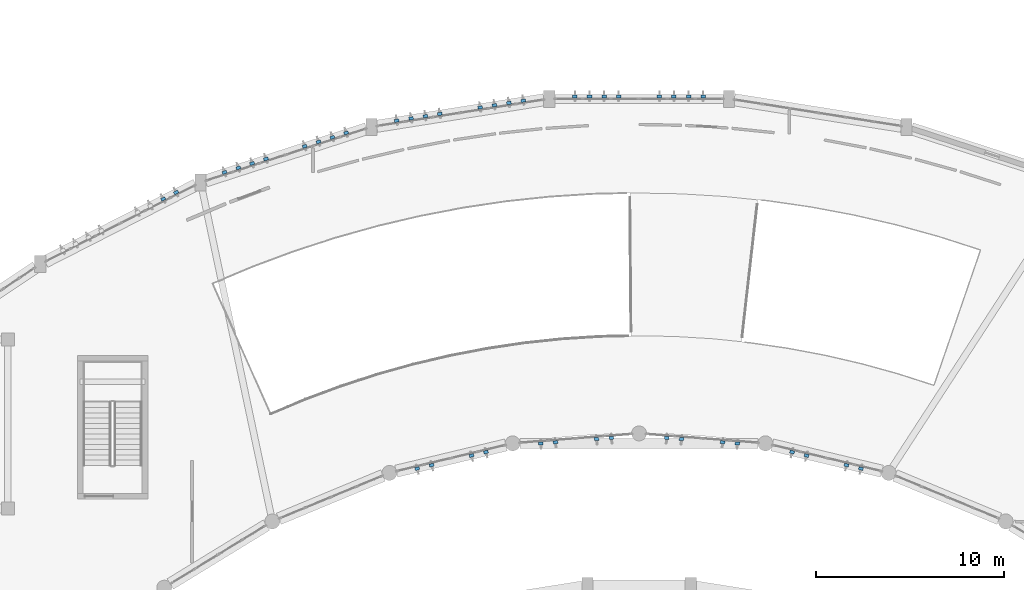
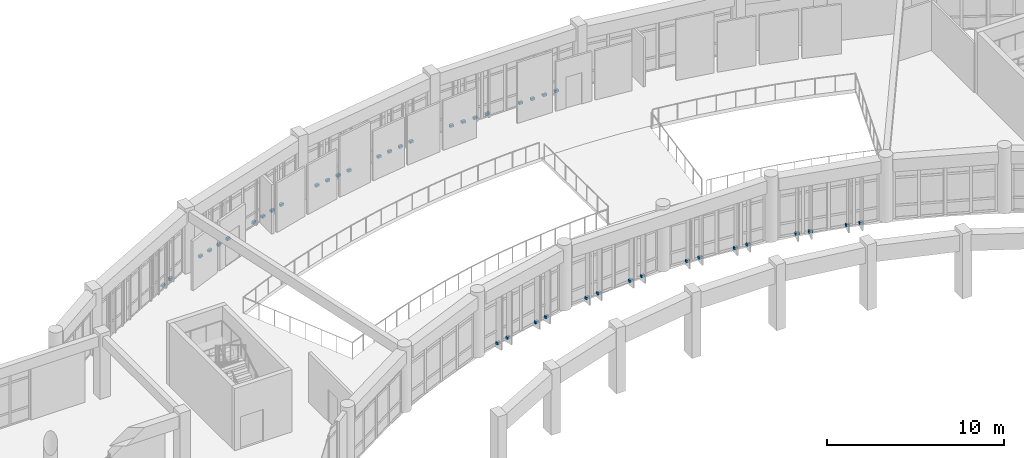
# One storey, part 52 of 57: 42 discrete accessories.
"""IFC4 building model written with IfcOpenShell, lengths in metres."""

from ifc_helpers import new_model, si_unit, direction, frame, origin, origin_2d, place, context, subcontext, project, spatial, rectangle, extrude, material, type_object, element, save


model = new_model("IFC4")

# Units and contexts
model_context = context("Model", 3, precision=1e-05, world=origin(), true_north=direction((0.0, 1.0)))
body_context = subcontext(model_context, "Body", "Model", "MODEL_VIEW")
ifc_project = project(units=[si_unit("LENGTHUNIT", "METRE"), si_unit("AREAUNIT", "SQUARE_METRE"), si_unit("VOLUMEUNIT", "CUBIC_METRE"), si_unit("PLANEANGLEUNIT", "RADIAN"), si_unit("MASSUNIT", "GRAM", prefix="KILO")], contexts=[model_context])

# Site, building, storey
site_placement = place(None, origin())
site = spatial("IfcSite", under=ifc_project, at=site_placement, CompositionType="ELEMENT")
building_placement = place(site_placement, origin())
building = spatial("IfcBuilding", under=site, at=building_placement, Name="Miralva Faculty of Natural Sciences", CompositionType="ELEMENT")
storey_placement = place(building_placement, frame((0.0, 0.0, 15.0)))
storey = spatial("IfcBuildingStorey", under=building, at=storey_placement, Name="L03", CompositionType="ELEMENT", Elevation=15.0)

# Discrete accessories
ifc_material = material(Name="Steel S355", Category="steel")
discrete_accessory_type = type_object("IfcDiscreteAccessoryType", Name="ACC-BRK01", PredefinedType="BRACKET", material=ifc_material)
for number, where, z_axis, x_axis, name in (
    (1, (78.188720703125, 20.12646484375, 0.0400390625), (0.0, 0.0, 1.0), (0.233445363856, -0.972369920398, 0.0), "Solar fin bracket L03-69"),
    (2, (78.956298828125, 20.310791015625, 0.0400390625), (0.0, 0.0, 1.0), (0.233445363856, -0.972369920398, 0.0), "Solar fin bracket L03-70"),
    (3, (81.08154296875, 20.821044921875, 0.0400390625), (0.0, 0.0, 1.0), (0.233445363856, -0.972369920398, 0.0), "Solar fin bracket L03-71"),
    (4, (81.8515625, 21.005859375, 0.0400390625), (0.0, 0.0, 1.0), (0.233445363856, -0.972369920398, 0.0), "Solar fin bracket L03-72"),
    (5, (84.76025390625, 21.46728515625, 0.0400390625), (0.0, 0.0, 1.0), (0.078459095728, -0.996917333733, 0.0), "Solar fin bracket L03-73"),
    (6, (85.55224609375, 21.529541015625, 0.0400390625), (0.0, 0.0, 1.0), (0.078459095728, -0.996917333733, 0.0), "Solar fin bracket L03-74"),
    (7, (87.736083984375, 21.701416015625, 0.0400390625), (0.0, 0.0, 1.0), (0.078459095728, -0.996917333733, 0.0), "Solar fin bracket L03-75"),
    (8, (88.530517578125, 21.763916015625, 0.0400390625), (0.0, 0.0, 1.0), (0.078459095728, -0.996917333733, 0.0), "Solar fin bracket L03-76"),
    (9, (91.46826171875, 21.76416015625, 0.0400390625), (0.0, 0.0, 1.0), (-0.078459095728, -0.996917333733, 0.0), "Solar fin bracket L03-77"),
    (10, (92.260009765625, 21.701904296875, 0.0400390625), (0.0, 0.0, 1.0), (-0.078459095728, -0.996917333733, 0.0), "Solar fin bracket L03-78"),
    (11, (94.444091796875, 21.52978515625, 0.0400390625), (0.0, 0.0, 1.0), (-0.078459095728, -0.996917333733, 0.0), "Solar fin bracket L03-79"),
    (12, (95.23828125, 21.46728515625, 0.0400390625), (0.0, 0.0, 1.0), (-0.078459095728, -0.996917333733, 0.0), "Solar fin bracket L03-80"),
    (13, (98.147216796875, 21.006103515625, 0.0400390625), (0.0, 0.0, 1.0), (-0.233445363856, -0.972369920398, 0.0), "Solar fin bracket L03-81"),
    (14, (98.914794921875, 20.822021484375, 0.0400390625), (0.0, 0.0, 1.0), (-0.233445363856, -0.972369920398, 0.0), "Solar fin bracket L03-82"),
    (15, (101.039794921875, 20.311767578125, 0.0400390625), (0.0, 0.0, 1.0), (-0.233445363856, -0.972369920398, 0.0), "Solar fin bracket L03-83"),
    (16, (101.809814453125, 20.126708984375, 0.0400390625), (0.0, 0.0, 1.0), (-0.233445363856, -0.972369920398, 0.0), "Solar fin bracket L03-84"),
    (17, (64.669677734375, 34.47900390625, 0.0400390625), (0.0, 0.0, 1.0), (-0.45399049974, 0.891006524188, 0.0), "Solar fin bracket L03-91"),
    (18, (65.354736328125, 34.828125, 0.0400390625), (0.0, 0.0, 1.0), (-0.45399049974, 0.891006524188, 0.0), "Solar fin bracket L03-92"),
    (19, (67.932861328125, 35.897705078125, 0.0400390625), (0.0, 0.0, 1.0), (-0.309016994375, 0.951056516295, 0.0), "Solar fin bracket L03-93"),
    (20, (68.66796875, 36.136474609375, 0.0400390625), (0.0, 0.0, 1.0), (-0.309016994375, 0.951056516295, 0.0), "Solar fin bracket L03-94"),
    (21, (69.40283203125, 36.375244140625, 0.0400390625), (0.0, 0.0, 1.0), (-0.309016994375, 0.951056516295, 0.0), "Solar fin bracket L03-95"),
    (22, (70.1376953125, 36.614013671875, 0.0400390625), (0.0, 0.0, 1.0), (-0.309016994375, 0.951056516295, 0.0), "Solar fin bracket L03-96"),
    (23, (72.199951171875, 37.2841796875, 0.0400390625), (0.0, 0.0, 1.0), (-0.309016994375, 0.951056516295, 0.0), "Solar fin bracket L03-97"),
    (24, (72.936279296875, 37.523193359375, 0.0400390625), (0.0, 0.0, 1.0), (-0.309016994375, 0.951056516295, 0.0), "Solar fin bracket L03-98"),
    (25, (73.67236328125, 37.762451171875, 0.0400390625), (0.0, 0.0, 1.0), (-0.309016994375, 0.951056516295, 0.0), "Solar fin bracket L03-99"),
    (26, (74.408447265625, 38.001708984375, 0.0400390625), (0.0, 0.0, 1.0), (-0.309016994375, 0.951056516295, 0.0), "Solar fin bracket L03-100"),
    (27, (77.0966796875, 38.64794921875, 0.0400390625), (0.0, 0.0, 1.0), (-0.15643446504, 0.987688340595, 0.0), "Solar fin bracket L03-101"),
    (28, (77.862548828125, 38.76904296875, 0.0400390625), (0.0, 0.0, 1.0), (-0.15643446504, 0.987688340595, 0.0), "Solar fin bracket L03-102"),
    (29, (78.628173828125, 38.890380859375, 0.0400390625), (0.0, 0.0, 1.0), (-0.15643446504, 0.987688340595, 0.0), "Solar fin bracket L03-103"),
    (30, (79.393798828125, 39.01171875, 0.0400390625), (0.0, 0.0, 1.0), (-0.15643446504, 0.987688340595, 0.0), "Solar fin bracket L03-104"),
    (31, (81.5380859375, 39.351318359375, 0.0400390625), (0.0, 0.0, 1.0), (-0.15643446504, 0.987688340595, 0.0), "Solar fin bracket L03-105"),
    (32, (82.304931640625, 39.47265625, 0.0400390625), (0.0, 0.0, 1.0), (-0.15643446504, 0.987688340595, 0.0), "Solar fin bracket L03-106"),
    (33, (83.072021484375, 39.593994140625, 0.0400390625), (0.0, 0.0, 1.0), (-0.15643446504, 0.987688340595, 0.0), "Solar fin bracket L03-107"),
    (34, (83.8388671875, 39.715576171875, 0.0400390625), (0.0, 0.0, 1.0), (-0.15643446504, 0.987688340595, 0.0), "Solar fin bracket L03-108"),
    (35, (86.586669921875, 39.931884765625, 0.0400390625), (0.0, 0.0, 1.0), (0.0, 1.0, 0.0), "Solar fin bracket L03-109"),
    (36, (87.36181640625, 39.931884765625, 0.0400390625), (0.0, 0.0, 1.0), (0.0, 1.0, 0.0), "Solar fin bracket L03-110"),
    (37, (88.13720703125, 39.931884765625, 0.0400390625), (0.0, 0.0, 1.0), (0.0, 1.0, 0.0), "Solar fin bracket L03-111"),
    (38, (88.912353515625, 39.931884765625, 0.0400390625), (0.0, 0.0, 1.0), (0.0, 1.0, 0.0), "Solar fin bracket L03-112"),
    (39, (91.083251953125, 39.931884765625, 0.0400390625), (0.0, 0.0, 1.0), (0.0, 1.0, 0.0), "Solar fin bracket L03-113"),
    (40, (91.85986328125, 39.931884765625, 0.0400390625), (0.0, 0.0, 1.0), (0.0, 1.0, 0.0), "Solar fin bracket L03-114"),
    (41, (92.63623046875, 39.931884765625, 0.0400390625), (0.0, 0.0, 1.0), (0.0, 1.0, 0.0), "Solar fin bracket L03-115"),
    (42, (93.412841796875, 39.931884765625, 0.0400390625), (0.0, 0.0, 1.0), (0.0, 1.0, 0.0), "Solar fin bracket L03-116"),
):
    element("IfcDiscreteAccessory", number, at=place(storey_placement, frame(where, z_axis=z_axis, x_axis=x_axis)), inside=storey, type_object=discrete_accessory_type, Name=name, PredefinedType="BRACKET", context=body_context, shape_type="SweptSolid", body=[
        extrude(rectangle(XDim=0.159912109375, YDim=0.239990234375, at=origin_2d()), origin(), (0.0, 0.0, 1.0), 0.159912109375),
    ])

save(model, "model.ifc")
